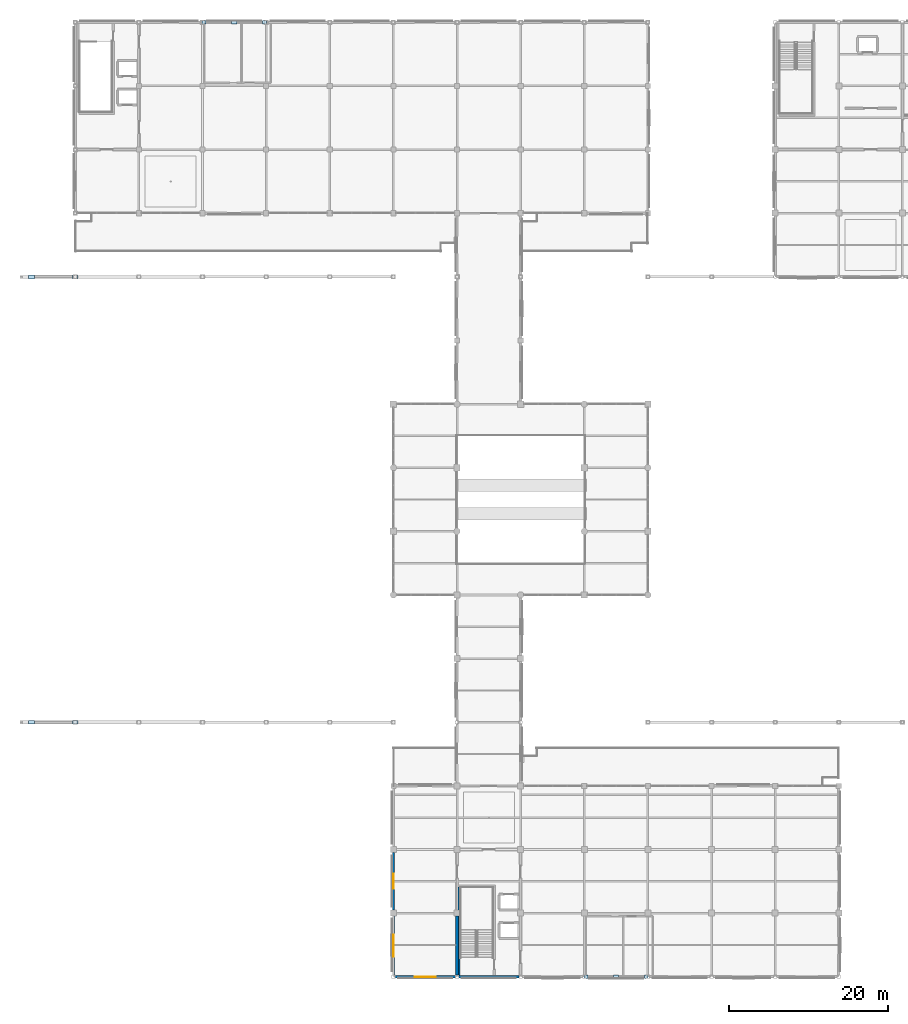
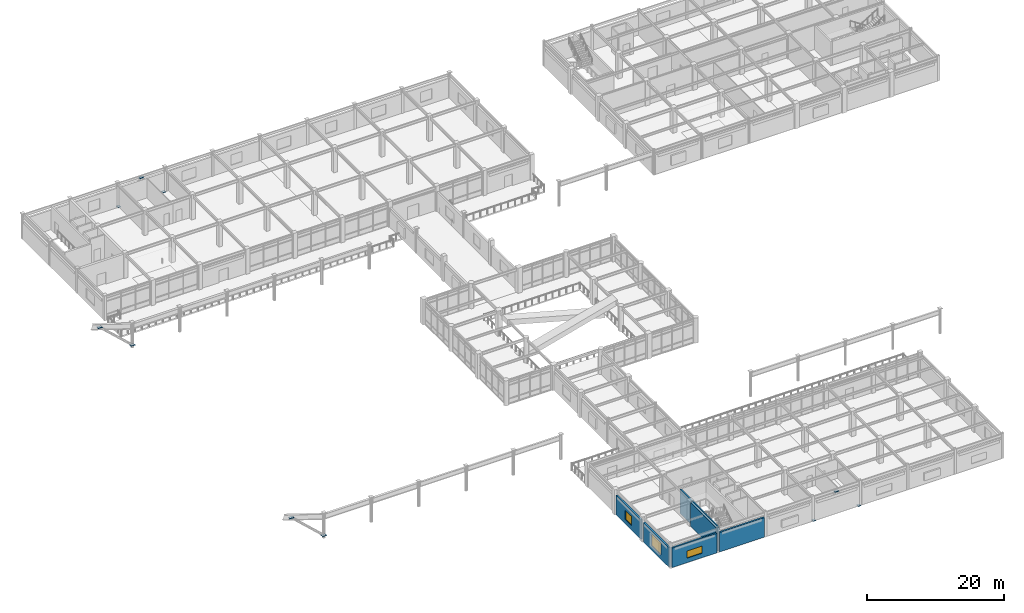
# One storey, part 59 of 78: 10 plates, 6 walls, 3 windows, 3 openings.
"""IFC4 building model written with IfcOpenShell, lengths in metres."""

import ifcopenshell
import ifcopenshell.guid

model = None  # the IFC model being written
_history = None  # IfcOwnerHistory: only IFC2X3 demands one
_inside = {}  # id of a spatial element -> (the spatial element, [elements in it])
_under = {}  # id of a project, library or spatial element -> (it, [spatial elements below it])
_declared = {}  # id of a project -> (the project, [libraries it declares])
_typed = {}  # id of a type object -> (the type object, [elements of that type])
_made_of = {}  # id of a material, layer set ... -> (it, [elements and type objects made of it])


def new_model(schema):
    """Start an empty IFC model of exactly this schema.

    Asked for "IFC4X3", IfcOpenShell would pick the latest addendum, in which some entities
    have other attributes; the version numbers below select the first issue.
    IFC2X3 requires an IfcOwnerHistory on every rooted entity: one is made here for all.
    """
    global model, _history
    if schema == "IFC4X3":
        model = ifcopenshell.file(schema_version=(4, 3, 0, 0))
    else:
        model = ifcopenshell.file(schema=schema)
    _inside.clear()
    _under.clear()
    _declared.clear()
    _typed.clear()
    _made_of.clear()
    _history = None
    if model.schema == "IFC2X3":
        org = make("IfcOrganization", Name="unknown")
        user = make(
            "IfcPersonAndOrganization",
            ThePerson=make("IfcPerson", FamilyName="unknown"),
            TheOrganization=org,
        )
        app = make(
            "IfcApplication",
            ApplicationDeveloper=org,
            Version="unknown",
            ApplicationFullName="unknown",
            ApplicationIdentifier="unknown",
        )
        _history = make(
            "IfcOwnerHistory",
            OwningUser=user,
            OwningApplication=app,
            ChangeAction="ADDED",
            CreationDate=0,
        )
    return model


def make(cls, **values):
    """One entity of the class cls with the attributes given. An attribute that is None is left unset."""
    return model.create_entity(
        cls, **{name: value for name, value in values.items() if value is not None}
    )


def rooted(cls, **values):
    """An entity with a GlobalId (a new one), such as an element, a storey or a relation."""
    return make(cls, GlobalId=ifcopenshell.guid.new(), OwnerHistory=_history, **values)


def si_unit(unit_type, name, prefix=None):
    """IfcSIUnit, for example si_unit("LENGTHUNIT", "METRE", prefix="MILLI")."""
    return make("IfcSIUnit", UnitType=unit_type, Prefix=prefix, Name=name)


def assignment(units):
    """IfcUnitAssignment: the units of a project."""
    return None if units is None else make("IfcUnitAssignment", Units=units)


def point(xyz):
    """IfcCartesianPoint."""
    return None if xyz is None else make("IfcCartesianPoint", Coordinates=xyz)


def direction(xyz):
    """IfcDirection."""
    return None if xyz is None else make("IfcDirection", DirectionRatios=xyz)


def frame(location, z_axis=None, x_axis=None):
    """IfcAxis2Placement3D, a coordinate frame: its origin and axes. An axis left out is left unset."""
    return make(
        "IfcAxis2Placement3D",
        Location=point(location),
        Axis=direction(z_axis),
        RefDirection=direction(x_axis),
    )


def frame_2d(location, x_axis=None):
    """IfcAxis2Placement2D, a coordinate frame in the plane: its origin and x axis."""
    return make(
        "IfcAxis2Placement2D", Location=point(location), RefDirection=direction(x_axis)
    )


def origin():
    """The frame at (0, 0, 0) with its axes left unset."""
    return frame((0.0, 0.0, 0.0))


def origin_2d():
    """The frame at (0, 0) in the plane with its x axis left unset."""
    return frame_2d((0.0, 0.0))


def place(relative_to, where):
    """IfcLocalPlacement: puts the frame where relative to a parent placement (None: the world)."""
    return make(
        "IfcLocalPlacement", PlacementRelTo=relative_to, RelativePlacement=where
    )


def context(
    kind, dimensions, precision=None, world=None, true_north=None, identifier=None
):
    """IfcGeometricRepresentationContext, for example the 3D "Model" context."""
    return make(
        "IfcGeometricRepresentationContext",
        ContextIdentifier=identifier,
        ContextType=kind,
        CoordinateSpaceDimension=dimensions,
        Precision=precision,
        WorldCoordinateSystem=world,
        TrueNorth=true_north,
    )


def subcontext(parent, identifier, kind, view, scale=None):
    """IfcGeometricRepresentationSubContext, for example "Body" below "Model"."""
    return make(
        "IfcGeometricRepresentationSubContext",
        ContextIdentifier=identifier,
        ContextType=kind,
        ParentContext=parent,
        TargetScale=scale,
        TargetView=view,
    )


def project(units=None, contexts=None):
    """IfcProject with its units and contexts."""
    return rooted(
        "IfcProject",
        Name="project",
        RepresentationContexts=contexts,
        UnitsInContext=assignment(units),
    )


def spatial(cls, under=None, at=None, **own):
    """A site, building, storey or space (cls), placed at a placement, below another one or the project."""
    s = rooted(cls, ObjectPlacement=at, **own)
    if under is not None:
        _under.setdefault(under.id(), (under, []))[1].append(s)
    return s


def profile(cls, at=None, kind="AREA", **sizes):
    """A parametric profile (cls). Its sizes go by their IFC names, for example OverallWidth=200.0."""
    return make(cls, ProfileType=kind, Position=at, **sizes)


def rectangle(**sizes):
    """IfcRectangleProfileDef."""
    return profile("IfcRectangleProfileDef", **sizes)


def extrude(swept, where, along, depth):
    """IfcExtrudedAreaSolid: the profile swept, set in the frame where, extruded along a direction by depth."""
    return make(
        "IfcExtrudedAreaSolid",
        SweptArea=swept,
        Position=where,
        ExtrudedDirection=direction(along),
        Depth=depth,
    )


def shape(context_of_items, identifier, shape_type, items):
    """IfcShapeRepresentation: the items that make up one representation, for example the "Body"."""
    return make(
        "IfcShapeRepresentation",
        ContextOfItems=context_of_items,
        RepresentationIdentifier=identifier,
        RepresentationType=shape_type,
        Items=items,
    )


def material(Name=None, Category=None):
    """IfcMaterial."""
    return make("IfcMaterial", Name=Name, Category=Category)


def layer(
    of_material, thickness, ventilated=None, Name=None, Category=None, Priority=None
):
    """IfcMaterialLayer: one layer of a wall or slab, of a material (None: an air gap)."""
    return make(
        "IfcMaterialLayer",
        Material=of_material,
        LayerThickness=thickness,
        IsVentilated=ventilated,
        Name=Name,
        Category=Category,
        Priority=Priority,
    )


def layer_set(layers, Name=None):
    """IfcMaterialLayerSet."""
    return make("IfcMaterialLayerSet", MaterialLayers=layers, LayerSetName=Name)


def made_of(thing, what):
    """Note that an element or type object is made of a material, layer set ...; save() writes the relation."""
    if what is not None:
        _made_of.setdefault(what.id(), (what, []))[1].append(thing)
    return thing


def type_object(cls, material=None, **own):
    """A type object (cls), such as IfcWallType, which elements share."""
    return made_of(rooted(cls, **own), material)


def element(
    cls,
    number,
    at=None,
    inside=None,
    cuts=None,
    type_object=None,
    material=None,
    context=None,
    identifier="Body",
    shape_type=None,
    held_by="IfcProductDefinitionShape",
    body=None,
    shapes=None,
    **own,
):
    """One element of the class cls, such as IfcWall. Its Tag is "e" and its number.

    at: its placement. inside: the storey or other place that contains it. cuts: it is an
    opening in that element (IfcRelVoidsElement). A single representation is given by context,
    identifier, shape_type and body (its items); several are given by shapes. held_by: the class
    of the entity that holds the representations. save() writes the other relations.
    """
    e = rooted(cls, Tag="e%d" % number, ObjectPlacement=at, **own)
    if body is not None:
        shapes = [shape(context, identifier, shape_type, body)]
    if shapes is not None:
        e.Representation = make(held_by, Representations=shapes)
    if inside is not None:
        _inside.setdefault(inside.id(), (inside, []))[1].append(e)
    if cuts is not None:
        rooted(
            "IfcRelVoidsElement", RelatingBuildingElement=cuts, RelatedOpeningElement=e
        )
    if type_object is not None:
        _typed.setdefault(type_object.id(), (type_object, []))[1].append(e)
    return made_of(e, material)


def fill(opening, filler):
    """IfcRelFillsElement: the door or window that sits in an opening."""
    return rooted(
        "IfcRelFillsElement",
        RelatingOpeningElement=opening,
        RelatedBuildingElement=filler,
    )


def aggregate(whole, parts):
    """IfcRelAggregates: a whole, such as a stair, and the parts it consists of."""
    return rooted("IfcRelAggregates", RelatingObject=whole, RelatedObjects=parts)


def save(model, path):
    """Write the relations noted so far, then the file.

    IfcRelAggregates (storeys below a building ...), IfcRelContainedInSpatialStructure (elements
    in a storey), IfcRelDefinesByType, IfcRelAssociatesMaterial and IfcRelDeclares: one each for
    every whole, place, type object, material and project.
    """
    for whole, parts in _under.values():
        aggregate(whole, parts)
    for where, things in _inside.values():
        rooted(
            "IfcRelContainedInSpatialStructure",
            RelatedElements=things,
            RelatingStructure=where,
        )
    for kind, things in _typed.values():
        rooted("IfcRelDefinesByType", RelatedObjects=things, RelatingType=kind)
    for what, things in _made_of.values():
        rooted("IfcRelAssociatesMaterial", RelatedObjects=things, RelatingMaterial=what)
    for by, libraries in _declared.values():
        rooted("IfcRelDeclares", RelatingContext=by, RelatedDefinitions=libraries)
    model.write(path)


model = new_model("IFC4")

# Units and contexts
model_context = context("Model", 3, precision=1e-05, world=origin(), true_north=direction((0.0, 1.0)))
body_context = subcontext(model_context, "Body", "Model", "MODEL_VIEW")
ifc_project = project(units=[si_unit("LENGTHUNIT", "METRE"), si_unit("AREAUNIT", "SQUARE_METRE"), si_unit("VOLUMEUNIT", "CUBIC_METRE"), si_unit("PLANEANGLEUNIT", "RADIAN"), si_unit("MASSUNIT", "GRAM", prefix="KILO")], contexts=[model_context])

# Site, building, storey
site_placement = place(None, origin())
site = spatial("IfcSite", under=ifc_project, at=site_placement, CompositionType="ELEMENT")
building_placement = place(site_placement, origin())
building = spatial("IfcBuilding", under=site, at=building_placement, Name="Solmirada Galleria", CompositionType="ELEMENT")
storey_placement = place(building_placement, frame((0.0, 0.0, 23.89990234375)))
storey = spatial("IfcBuildingStorey", under=building, at=storey_placement, Name="L05", CompositionType="ELEMENT", Elevation=23.89990234375)

# Plates
ifc_material_1 = material(Name="Steel S355 / ASTM A572 Grade 50", Category="steel")
ifc_layer_1 = layer(ifc_material_1, 0.028076171875)
ifc_layer_set_1 = layer_set([ifc_layer_1], Name="Steel S355 / ASTM A572 Grade 50")
plate_type_1 = type_object("IfcPlateType", Name="PLT-NODE-02", PredefinedType="SHEET", material=ifc_layer_set_1)
for number, where, z_axis, x_axis, name in (
    (1, (56.202880859375, 120.0, 0.005859375), (0.0, 0.0, 1.0), (1.0, 0.0, 0.0), "Braced frame gusset plate CBF-N1 L05 LA"),
    (2, (63.797119140625, 120.0, 0.005859375), (0.0, 0.0, 1.0), (1.0, 0.0, 0.0), "Braced frame gusset plate CBF-N1 L05 RA"),
    (3, (104.202880859375, 0.0, 0.005859375), (0.0, 0.0, 1.0), (1.0, 0.0, 0.0), "Braced frame gusset plate CBF-S1 L05 LA"),
    (4, (111.797119140625, 0.0, 0.005859375), (0.0, 0.0, 1.0), (1.0, 0.0, 0.0), "Braced frame gusset plate CBF-S1 L05 RA"),
):
    element("IfcPlate", number, at=place(storey_placement, frame(where, z_axis=z_axis, x_axis=x_axis)), inside=storey, type_object=plate_type_1, Name=name, PredefinedType="SHEET", context=body_context, shape_type="SweptSolid", body=[
        extrude(rectangle(XDim=0.47998046875, YDim=0.47998046875, at=origin_2d()), origin(), (0.0, 0.0, 1.0), 0.028076171875),
    ])
ifc_layer_2 = layer(ifc_material_1, 0.035888671875)
ifc_layer_set_2 = layer_set([ifc_layer_2], Name="Steel S355 / ASTM A572 Grade 50")
plate_type_2 = type_object("IfcPlateType", Name="PLT-NODE-04", PredefinedType="SHEET", material=ifc_layer_set_2)
for number, where, z_axis, x_axis, name in (
    (5, (60.0, 120.0, 3.8623046875), (0.0, 0.0, 1.0), (1.0, 0.0, 0.0), "Braced frame gusset plate CBF-N1 L05 AP"),
    (6, (108.0, 0.0, 3.8623046875), (0.0, 0.0, 1.0), (1.0, 0.0, 0.0), "Braced frame gusset plate CBF-S1 L05 AP"),
):
    element("IfcPlate", number, at=place(storey_placement, frame(where, z_axis=z_axis, x_axis=x_axis)), inside=storey, type_object=plate_type_2, Name=name, PredefinedType="SHEET", context=body_context, shape_type="SweptSolid", body=[
        extrude(rectangle(XDim=0.64990234375, YDim=0.449951171875, at=origin_2d()), origin(), (0.0, 0.0, 1.0), 0.035888671875),
    ])
ifc_layer_3 = layer(ifc_material_1, 0.0400390625)
ifc_layer_set_3 = layer_set([ifc_layer_3], Name="Steel S355 / ASTM A572 Grade 50")
plate_type_3 = type_object("IfcPlateType", Name="PLT-NODE-06", PredefinedType="SHEET", material=ifc_layer_set_3)
for number, where, z_axis, x_axis, name in (
    (7, (40.0, 32.0, 0.380126953125), (0.0, 0.0, 1.0), (1.0, 0.0, 0.0), "Forecourt canopy strut end clevis plate S BOT"),
    (8, (34.5, 32.0, 5.461181640625), (0.0, 0.0, 1.0), (1.0, 0.0, 0.0), "Forecourt canopy strut end clevis plate S TOP"),
    (9, (40.0, 88.0, 0.380126953125), (0.0, 0.0, 1.0), (1.0, 0.0, 0.0), "Forecourt canopy strut end clevis plate N BOT"),
    (10, (34.5, 88.0, 5.461181640625), (0.0, 0.0, 1.0), (1.0, 0.0, 0.0), "Forecourt canopy strut end clevis plate N TOP"),
):
    element("IfcPlate", number, at=place(storey_placement, frame(where, z_axis=z_axis, x_axis=x_axis)), inside=storey, type_object=plate_type_3, Name=name, PredefinedType="SHEET", context=body_context, shape_type="SweptSolid", body=[
        extrude(rectangle(XDim=0.699951171875, YDim=0.5, at=origin_2d()), origin(), (0.0, 0.0, 1.0), 0.0400390625),
    ])

# Walls
ifc_material_2 = material(Name="Concrete C40/50", Category="concrete")
ifc_layer_4 = layer(ifc_material_2, 0.3798828125)
ifc_layer_set_4 = layer_set([ifc_layer_4], Name="Concrete C40/50")
wall_type_1 = type_object("IfcWallType", Name="WL-CORE-380", PredefinedType="SHEAR", material=ifc_layer_set_4)
wall_1_placement = place(storey_placement, frame((88.0, 0.202880859375, 0.0), z_axis=(0.0, 0.0, 1.0), x_axis=(0.0, 1.0, 0.0)))
element("IfcWall", 11, at=wall_1_placement, inside=storey, type_object=wall_type_1, Name="Core C2 shear wall L05 W1", PredefinedType="SHEAR", context=body_context, shape_type="SweptSolid", body=[
    extrude(rectangle(XDim=7.422119140625, YDim=0.3798828125, at=frame_2d((3.7109375, 0.0))), origin(), (0.0, 0.0, 1.0), 4.280029296875),
])
ifc_material_3 = material(Name="Precast concrete C40/50", Category="concrete")
ifc_layer_5 = layer(ifc_material_3, 0.2900390625)
ifc_layer_set_5 = layer_set([ifc_layer_5], Name="Precast concrete C40/50")
wall_type_2 = type_object("IfcWallType", Name="WL-EXT-290", PredefinedType="STANDARD", material=ifc_layer_set_5)
wall_2_placement = place(storey_placement, frame((95.797119140625, 0.0, 0.0), z_axis=(0.0, 0.0, 1.0), x_axis=(-1.0, 0.0, 0.0)))
element("IfcWall", 12, at=wall_2_placement, inside=storey, type_object=wall_type_2, Name="Exterior wall L05 bay 061", PredefinedType="STANDARD", context=body_context, shape_type="SweptSolid", body=[
    extrude(rectangle(XDim=7.59423828125, YDim=0.2900390625, at=frame_2d((3.797119140625, 0.0))), origin(), (0.0, 0.0, 1.0), 3.47998046875),
])

# Wall, opening, window
wall_3_placement = place(storey_placement, frame((87.797119140625, 0.0, 0.0), z_axis=(0.0, 0.0, 1.0), x_axis=(-1.0, 0.0, 0.0)))
wall_3 = element("IfcWall", 13, at=wall_3_placement, inside=storey, type_object=wall_type_2, Name="Exterior wall L05 bay 062", PredefinedType="STANDARD", context=body_context, shape_type="SweptSolid", body=[
    extrude(rectangle(XDim=7.59423828125, YDim=0.2900390625, at=frame_2d((3.797119140625, 0.0))), origin(), (0.0, 0.0, 1.0), 3.47998046875),
])
opening_1_placement = place(wall_3_placement, frame((2.4970703125, 0.0, 0.800048828125)))
opening_1 = element("IfcOpeningElement", 14, at=opening_1_placement, cuts=wall_3, Name="Opening WN36", PredefinedType="OPENING", context=body_context, shape_type="SweptSolid", body=[
    extrude(rectangle(XDim=2.60009765625, YDim=1.300048828125, at=frame_2d((1.300048828125, 0.64990234375))), frame((0.0, 0.155029296875, 0.0), z_axis=(0.0, -1.0, 0.0), x_axis=(1.0, 0.0, 0.0)), (0.0, 0.0, 1.0), 0.31005859375),
])
ifc_material_4 = material(Name="Impact-resistant low-E double glazing", Category="glass")
window_type_1 = type_object("IfcWindowType", Name="WIN-CLER-260X130", PartitioningType="DOUBLE_PANEL_VERTICAL", PredefinedType="WINDOW", material=ifc_material_4)
window_1_placement = place(opening_1_placement, origin())
window_1 = element("IfcWindow", 15, at=window_1_placement, inside=storey, type_object=window_type_1, Name="Window L05-175", OverallHeight=1.300048828125, OverallWidth=2.60009765625, PartitioningType="DOUBLE_PANEL_VERTICAL", PredefinedType="WINDOW", context=body_context, shape_type="SweptSolid", body=[
    extrude(rectangle(XDim=2.60009765625, YDim=1.300048828125, at=frame_2d((1.300048828125, 0.64990234375))), frame((0.0, 0.030029296875, 0.0), z_axis=(0.0, -1.0, 0.0), x_axis=(1.0, 0.0, 0.0)), (0.0, 0.0, 1.0), 0.06005859375),
])
fill(opening_1, window_1)

wall_4_placement = place(storey_placement, frame((80.0, 0.202880859375, 0.0), z_axis=(0.0, 0.0, 1.0), x_axis=(0.0, 1.0, 0.0)))
wall_4 = element("IfcWall", 16, at=wall_4_placement, inside=storey, type_object=wall_type_2, Name="Exterior wall L05 bay 063", PredefinedType="STANDARD", context=body_context, shape_type="SweptSolid", body=[
    extrude(rectangle(XDim=7.422119140625, YDim=0.2900390625, at=frame_2d((3.7109375, 0.0))), origin(), (0.0, 0.0, 1.0), 3.47998046875),
])
opening_2_placement = place(wall_4_placement, frame((2.3359375, 0.0, 0.800048828125)))
opening_2 = element("IfcOpeningElement", 17, at=opening_2_placement, cuts=wall_4, Name="Opening WN33", PredefinedType="OPENING", context=body_context, shape_type="SweptSolid", body=[
    extrude(rectangle(XDim=2.75, YDim=2.14990234375, at=frame_2d((1.375, 1.074951171875))), frame((0.0, 0.155029296875, 0.0), z_axis=(0.0, -1.0, 0.0), x_axis=(1.0, 0.0, 0.0)), (0.0, 0.0, 1.0), 0.31005859375),
])
window_type_2 = type_object("IfcWindowType", Name="WIN-BRAS-275X215", PartitioningType="TRIPLE_PANEL_VERTICAL", PredefinedType="WINDOW", material=ifc_material_4)
window_2_placement = place(opening_2_placement, origin())
window_2 = element("IfcWindow", 18, at=window_2_placement, inside=storey, type_object=window_type_2, Name="Window L05-176", OverallHeight=2.14990234375, OverallWidth=2.75, PartitioningType="TRIPLE_PANEL_VERTICAL", PredefinedType="WINDOW", context=body_context, shape_type="SweptSolid", body=[
    extrude(rectangle(XDim=2.75, YDim=2.14990234375, at=frame_2d((1.375, 1.074951171875))), frame((0.0, 0.030029296875, 0.0), z_axis=(0.0, -1.0, 0.0), x_axis=(1.0, 0.0, 0.0)), (0.0, 0.0, 1.0), 0.06005859375),
])
fill(opening_2, window_2)

wall_5_placement = place(storey_placement, frame((80.0, 8.375, 0.0), z_axis=(0.0, 0.0, 1.0), x_axis=(0.0, 1.0, 0.0)))
wall_5 = element("IfcWall", 19, at=wall_5_placement, inside=storey, type_object=wall_type_2, Name="Exterior wall L05 bay 064", PredefinedType="STANDARD", context=body_context, shape_type="SweptSolid", body=[
    extrude(rectangle(XDim=7.25, YDim=0.2900390625, at=frame_2d((3.625, 0.0))), origin(), (0.0, 0.0, 1.0), 3.47998046875),
])
opening_3_placement = place(wall_5_placement, frame((2.675048828125, 0.0, 0.800048828125)))
opening_3 = element("IfcOpeningElement", 20, at=opening_3_placement, cuts=wall_5, Name="Opening WN18", PredefinedType="OPENING", context=body_context, shape_type="SweptSolid", body=[
    extrude(rectangle(XDim=1.89990234375, YDim=1.64990234375, at=frame_2d((0.949951171875, 0.824951171875))), frame((0.0, 0.155029296875, 0.0), z_axis=(0.0, -1.0, 0.0), x_axis=(1.0, 0.0, 0.0)), (0.0, 0.0, 1.0), 0.31005859375),
])
window_type_3 = type_object("IfcWindowType", Name="WIN-FH-190X165", PartitioningType="DOUBLE_PANEL_VERTICAL", PredefinedType="WINDOW", material=ifc_material_4)
window_3_placement = place(opening_3_placement, origin())
window_3 = element("IfcWindow", 21, at=window_3_placement, inside=storey, type_object=window_type_3, Name="Window L05-177", OverallHeight=1.64990234375, OverallWidth=1.89990234375, PartitioningType="DOUBLE_PANEL_VERTICAL", PredefinedType="WINDOW", context=body_context, shape_type="SweptSolid", body=[
    extrude(rectangle(XDim=1.89990234375, YDim=1.64990234375, at=frame_2d((0.949951171875, 0.824951171875))), frame((0.0, 0.030029296875, 0.0), z_axis=(0.0, -1.0, 0.0), x_axis=(1.0, 0.0, 0.0)), (0.0, 0.0, 1.0), 0.06005859375),
])
fill(opening_3, window_3)

# Wall
ifc_layer_6 = layer(ifc_material_2, 0.260009765625)
ifc_layer_set_6 = layer_set([ifc_layer_6], Name="Concrete C40/50")
wall_type_3 = type_object("IfcWallType", Name="WL-SHAFT-260", PredefinedType="SHEAR", material=ifc_layer_set_6)
wall_6_placement = place(storey_placement, frame((88.27001953125, 0.14501953125, 0.0), z_axis=(0.0, 0.0, 1.0), x_axis=(0.0, 1.0, 0.0)))
element("IfcWall", 22, at=wall_6_placement, inside=storey, type_object=wall_type_3, Name="Stair ST2 enclosure wall L05 W", PredefinedType="SHEAR", context=body_context, shape_type="SweptSolid", body=[
    extrude(rectangle(XDim=11.155029296875, YDim=0.260009765625, at=frame_2d((5.57763671875, 0.0))), origin(), (0.0, 0.0, 1.0), 4.280029296875),
])

save(model, "model.ifc")
